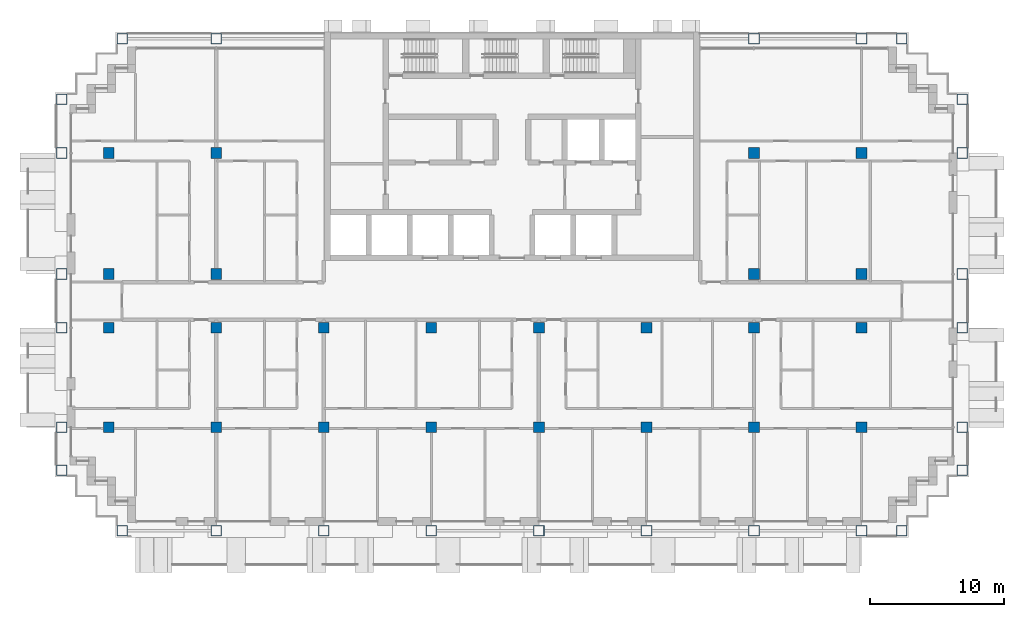
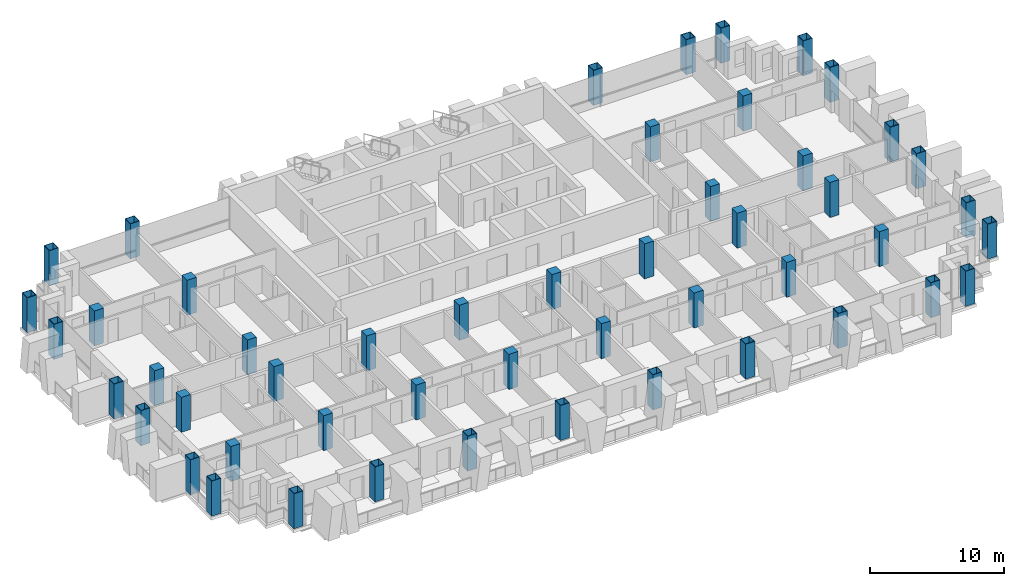
# One storey, part 1 of 17: 50 columns.
"""IFC4 building model written with IfcOpenShell, lengths in metres."""

from ifc_helpers import new_model, si_unit, direction, frame, origin, origin_2d, place, context, subcontext, project, spatial, rectangle, hollow_rectangle, extrude, material, material_profile, profile_set, type_object, element, save


model = new_model("IFC4")

# Units and contexts
model_context = context("Model", 3, precision=1e-05, world=origin(), true_north=direction((0.0, 1.0)))
body_context = subcontext(model_context, "Body", "Model", "MODEL_VIEW")
ifc_project = project(units=[si_unit("LENGTHUNIT", "METRE"), si_unit("AREAUNIT", "SQUARE_METRE"), si_unit("VOLUMEUNIT", "CUBIC_METRE"), si_unit("PLANEANGLEUNIT", "RADIAN"), si_unit("MASSUNIT", "GRAM", prefix="KILO")], contexts=[model_context])

# Site, building, storey
site_placement = place(None, origin())
site = spatial("IfcSite", under=ifc_project, at=site_placement, CompositionType="ELEMENT")
building_placement = place(site_placement, origin())
building = spatial("IfcBuilding", under=site, at=building_placement, Name="Vidyagriha Tower", CompositionType="ELEMENT")
storey_placement = place(building_placement, frame((0.0, 0.0, 119.800048828125)))
storey = spatial("IfcBuildingStorey", under=building, at=storey_placement, Name="L30", CompositionType="ELEMENT", Elevation=119.800048828125)

# Columns
ifc_material_1 = material(Name="Steel ASTM A572 Grade 50", Category="steel")
ifc_material_profile_1 = material_profile(ifc_material_1, hollow_rectangle(XDim=0.800048828125, YDim=0.800048828125, WallThickness=0.0400390625, at=origin_2d()), Name="BOX 800x800x40")
ifc_profile_set_1 = profile_set([ifc_material_profile_1], Name="Steel ASTM A572 Grade 50")
column_type_1 = type_object("IfcColumnType", Name="Exoskeleton column BOX 800x800x40", PredefinedType="COLUMN", material=ifc_profile_set_1)
for number, where, name in (
    (1, (-29.0, -17.10009765625, 0.0), "st-col-L30-B3-001"),
    (2, (-22.0, -17.10009765625, 0.0), "st-col-L30-B3-002"),
    (3, (-14.0, -17.10009765625, 0.0), "st-col-L30-B3-003"),
    (4, (-6.0, -17.10009765625, 0.0), "st-col-L30-B3-004"),
    (5, (2.0, -17.10009765625, 0.0), "st-col-L30-B3-005"),
    (6, (10.0, -17.10009765625, 0.0), "st-col-L30-B3-006"),
    (7, (18.0, -17.10009765625, 0.0), "st-col-L30-B3-007"),
    (8, (26.0, -17.10009765625, 0.0), "st-col-L30-B3-008"),
    (9, (29.0, -17.10009765625, 0.0), "st-col-L30-B3-009"),
    (10, (-33.5, -12.60009765625, 0.0), "st-col-L30-B3-010"),
    (11, (33.5, -12.60009765625, 0.0), "st-col-L30-B3-011"),
    (12, (-33.5, -9.39990234375, 0.0), "st-col-L30-B3-012"),
    (13, (33.5, -9.39990234375, 0.0), "st-col-L30-B3-021"),
    (14, (-33.5, -2.0, 0.0), "st-col-L30-B3-022"),
    (15, (33.5, -2.0, 0.0), "st-col-L30-B3-031"),
    (16, (-33.5, 2.0, 0.0), "st-col-L30-B3-032"),
    (17, (33.5, 2.0, 0.0), "st-col-L30-B3-037"),
    (18, (-33.5, 11.0, 0.0), "st-col-L30-B3-038"),
    (19, (33.5, 11.0, 0.0), "st-col-L30-B3-043"),
    (20, (-33.5, 15.0, 0.0), "st-col-L30-B3-044"),
    (21, (33.5, 15.0, 0.0), "st-col-L30-B3-045"),
    (22, (-29.0, 19.5, 0.0), "st-col-L30-B3-046"),
    (23, (-22.0, 19.5, 0.0), "st-col-L30-B3-047"),
    (24, (18.0, 19.5, 0.0), "st-col-L30-B3-048"),
    (25, (26.0, 19.5, 0.0), "st-col-L30-B3-049"),
    (26, (29.0, 19.5, 0.0), "st-col-L30-B3-050"),
):
    element("IfcColumn", number, at=place(storey_placement, frame(where)), inside=storey, type_object=column_type_1, Name=name, PredefinedType="COLUMN", context=body_context, shape_type="SweptSolid", body=[
        extrude(hollow_rectangle(XDim=0.800048828125, YDim=0.800048828125, WallThickness=0.0400390625, at=origin_2d()), origin(), (0.0, 0.0, 1.0), 3.199951171875),
    ])
ifc_material_2 = material(Name="Concrete C80/95", Category="concrete")
ifc_material_profile_2 = material_profile(ifc_material_2, rectangle(XDim=0.800048828125, YDim=0.800048828125, at=origin_2d()), Name="RC 800x800")
ifc_profile_set_2 = profile_set([ifc_material_profile_2], Name="Concrete C80/95")
column_type_2 = type_object("IfcColumnType", Name="Frame column RC 800x800", PredefinedType="COLUMN", material=ifc_profile_set_2)
for number, where, name in (
    (27, (-30.0, -9.39990234375, 0.0), "st-col-L30-B3-013"),
    (28, (-22.0, -9.39990234375, 0.0), "st-col-L30-B3-014"),
    (29, (-14.0, -9.39990234375, 0.0), "st-col-L30-B3-015"),
    (30, (-6.0, -9.39990234375, 0.0), "st-col-L30-B3-016"),
    (31, (2.0, -9.39990234375, 0.0), "st-col-L30-B3-017"),
    (32, (10.0, -9.39990234375, 0.0), "st-col-L30-B3-018"),
    (33, (18.0, -9.39990234375, 0.0), "st-col-L30-B3-019"),
    (34, (26.0, -9.39990234375, 0.0), "st-col-L30-B3-020"),
    (35, (-30.0, -2.0, 0.0), "st-col-L30-B3-023"),
    (36, (-22.0, -2.0, 0.0), "st-col-L30-B3-024"),
    (37, (-14.0, -2.0, 0.0), "st-col-L30-B3-025"),
    (38, (-6.0, -2.0, 0.0), "st-col-L30-B3-026"),
    (39, (2.0, -2.0, 0.0), "st-col-L30-B3-027"),
    (40, (10.0, -2.0, 0.0), "st-col-L30-B3-028"),
    (41, (18.0, -2.0, 0.0), "st-col-L30-B3-029"),
    (42, (26.0, -2.0, 0.0), "st-col-L30-B3-030"),
    (43, (-30.0, 2.0, 0.0), "st-col-L30-B3-033"),
    (44, (-22.0, 2.0, 0.0), "st-col-L30-B3-034"),
    (45, (18.0, 2.0, 0.0), "st-col-L30-B3-035"),
    (46, (26.0, 2.0, 0.0), "st-col-L30-B3-036"),
    (47, (-30.0, 11.0, 0.0), "st-col-L30-B3-039"),
    (48, (-22.0, 11.0, 0.0), "st-col-L30-B3-040"),
    (49, (18.0, 11.0, 0.0), "st-col-L30-B3-041"),
    (50, (26.0, 11.0, 0.0), "st-col-L30-B3-042"),
):
    element("IfcColumn", number, at=place(storey_placement, frame(where)), inside=storey, type_object=column_type_2, Name=name, PredefinedType="COLUMN", context=body_context, shape_type="SweptSolid", body=[
        extrude(rectangle(XDim=0.800048828125, YDim=0.800048828125, at=origin_2d()), origin(), (0.0, 0.0, 1.0), 3.199951171875),
    ])

save(model, "model.ifc")
